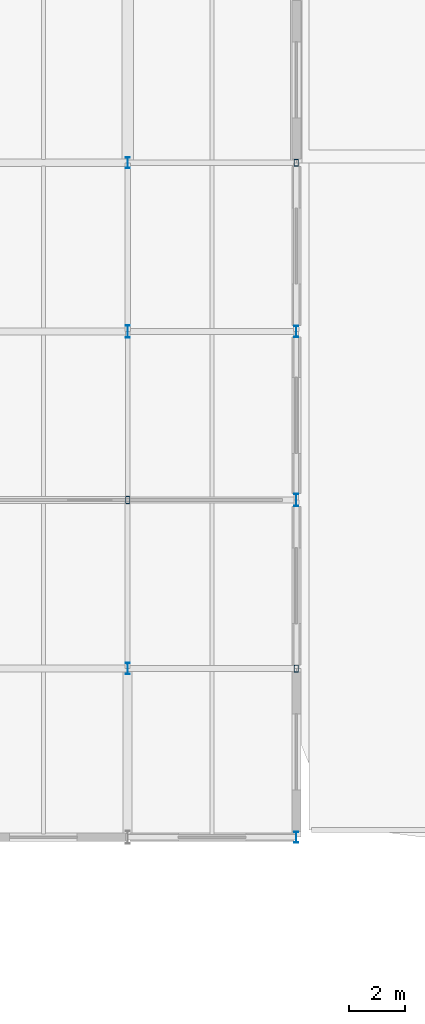
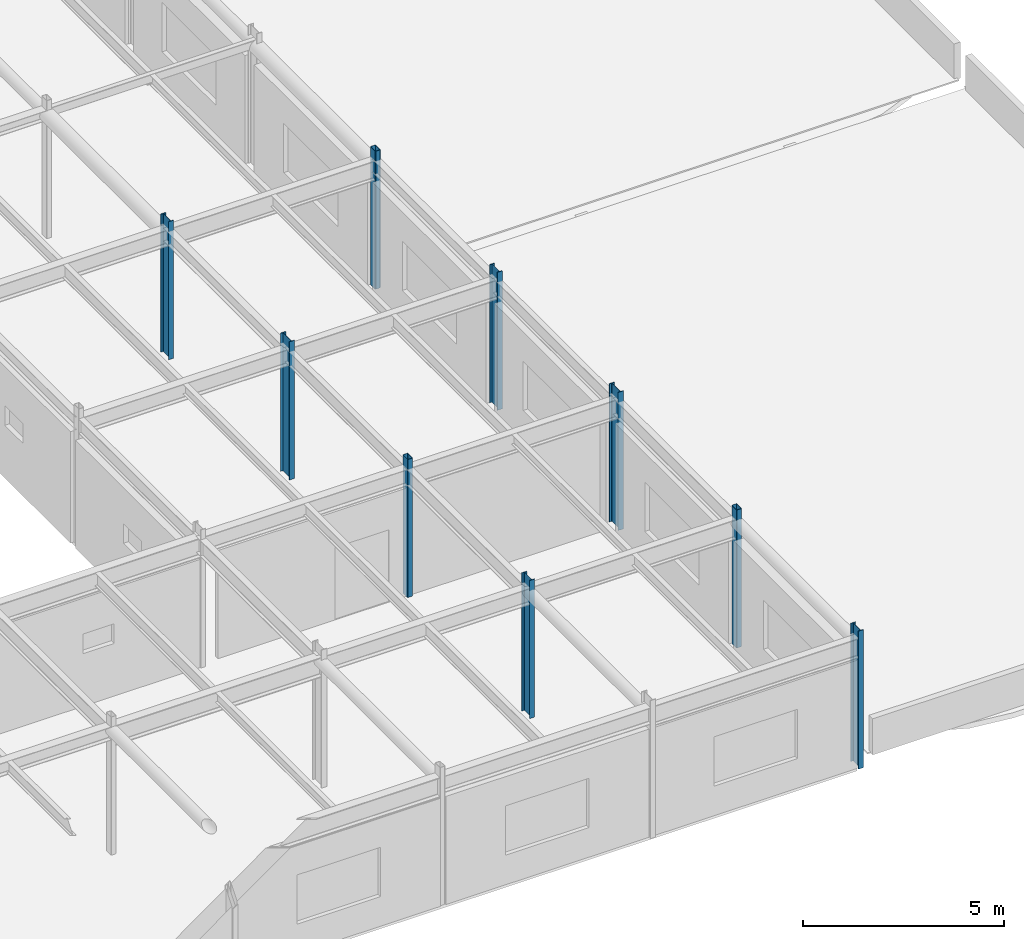
# One storey, part 24 of 116: 9 columns.
"""IFC4 building model written with IfcOpenShell, lengths in metres."""

from ifc_helpers import new_model, si_unit, direction, frame, origin, origin_2d, place, context, subcontext, project, spatial, hollow_rectangle, i_section, extrude, material, material_profile, profile_set, type_object, element, save


model = new_model("IFC4")

# Units and contexts
model_context = context("Model", 3, precision=1e-05, world=origin(), true_north=direction((0.0, 1.0)))
body_context = subcontext(model_context, "Body", "Model", "MODEL_VIEW")
ifc_project = project(units=[si_unit("LENGTHUNIT", "METRE"), si_unit("AREAUNIT", "SQUARE_METRE"), si_unit("VOLUMEUNIT", "CUBIC_METRE"), si_unit("PLANEANGLEUNIT", "RADIAN"), si_unit("MASSUNIT", "GRAM", prefix="KILO")], contexts=[model_context])

# Site, building, storey
site_placement = place(None, origin())
site = spatial("IfcSite", under=ifc_project, at=site_placement, CompositionType="ELEMENT")
building_placement = place(site_placement, origin())
building = spatial("IfcBuilding", under=site, at=building_placement, Name="Varnakota Square Police Headquarters", CompositionType="ELEMENT")
storey_placement = place(building_placement, frame((0.0, 0.0, 9.300048828125)))
storey = spatial("IfcBuildingStorey", under=building, at=storey_placement, Name="L02", CompositionType="ELEMENT", Elevation=9.300048828125)

# Columns
ifc_material = material(Name="Steel IS 2062 Grade 350", Category="steel")
ifc_material_profile_1 = material_profile(ifc_material, i_section(OverallWidth=0.139892578125, OverallDepth=0.39990234375, WebThickness=0.0087890625, FlangeThickness=0.01611328125, FilletRadius=0.013916015625, at=origin_2d()), Name="ISMB 400")
ifc_profile_set_1 = profile_set([ifc_material_profile_1], Name="Steel IS 2062 Grade 350")
column_type_1 = type_object("IfcColumnType", Name="COL-ISMB400", PredefinedType="COLUMN", material=ifc_profile_set_1)
for number, where, z_axis, x_axis, name in (
    (1, (138.0, 75.0, 0.0), (0.0, 0.0, 1.0), (1.0, 0.0, 0.0), "Column X1380-Y0750 L02"),
    (2, (138.0, 93.0, 0.0), (0.0, 0.0, 1.0), (1.0, 0.0, 0.0), "Column X1380-Y0930 L02"),
    (3, (144.0, 69.0, 0.0), (0.0, 0.0, 1.0), (1.0, 0.0, 0.0), "Column X1440-Y0690 L02"),
    (4, (144.0, 87.0, 0.0), (0.0, 0.0, 1.0), (1.0, 0.0, 0.0), "Column X1440-Y0870 L02"),
):
    element("IfcColumn", number, at=place(storey_placement, frame(where, z_axis=z_axis, x_axis=x_axis)), inside=storey, type_object=column_type_1, Name=name, PredefinedType="COLUMN", context=body_context, shape_type="SweptSolid", body=[
        extrude(i_section(OverallWidth=0.139892578125, OverallDepth=0.39990234375, WebThickness=0.0087890625, FlangeThickness=0.01611328125, FilletRadius=0.013916015625, at=origin_2d()), origin(), (0.0, 0.0, 1.0), 4.199951171875),
    ])
ifc_material_profile_2 = material_profile(ifc_material, i_section(OverallWidth=0.14990234375, OverallDepth=0.449951171875, WebThickness=0.009521484375, FlangeThickness=0.017333984375, FilletRadius=0.014892578125, at=origin_2d()), Name="ISMB 450")
ifc_profile_set_2 = profile_set([ifc_material_profile_2], Name="Steel IS 2062 Grade 350")
column_type_2 = type_object("IfcColumnType", Name="COL-ISMB450", PredefinedType="COLUMN", material=ifc_profile_set_2)
for number, where, z_axis, x_axis, name in (
    (5, (138.0, 87.0, 0.0), (0.0, 0.0, 1.0), (1.0, 0.0, 0.0), "Column X1380-Y0870 L02"),
    (6, (144.0, 81.0, 0.0), (0.0, 0.0, 1.0), (1.0, 0.0, 0.0), "Column X1440-Y0810 L02"),
):
    element("IfcColumn", number, at=place(storey_placement, frame(where, z_axis=z_axis, x_axis=x_axis)), inside=storey, type_object=column_type_2, Name=name, PredefinedType="COLUMN", context=body_context, shape_type="SweptSolid", body=[
        extrude(i_section(OverallWidth=0.14990234375, OverallDepth=0.449951171875, WebThickness=0.009521484375, FlangeThickness=0.017333984375, FilletRadius=0.014892578125, at=origin_2d()), origin(), (0.0, 0.0, 1.0), 4.199951171875),
    ])
ifc_material_profile_3 = material_profile(ifc_material, hollow_rectangle(XDim=0.14990234375, YDim=0.25, WallThickness=0.010009765625, InnerFilletRadius=0.010009765625, OuterFilletRadius=0.02001953125, at=origin_2d()), Name="RHS 250x150x10")
ifc_profile_set_3 = profile_set([ifc_material_profile_3], Name="Steel IS 2062 Grade 350")
column_type_3 = type_object("IfcColumnType", Name="COL-RHS250", PredefinedType="COLUMN", material=ifc_profile_set_3)
for number, where, z_axis, x_axis, name in (
    (7, (138.0, 81.0, 0.0), (0.0, 0.0, 1.0), (1.0, 0.0, 0.0), "Column X1380-Y0810 L02"),
    (8, (144.0, 75.0, 0.0), (0.0, 0.0, 1.0), (1.0, 0.0, 0.0), "Column X1440-Y0750 L02"),
    (9, (144.0, 93.0, 0.0), (0.0, 0.0, 1.0), (1.0, 0.0, 0.0), "Column X1440-Y0930 L02"),
):
    element("IfcColumn", number, at=place(storey_placement, frame(where, z_axis=z_axis, x_axis=x_axis)), inside=storey, type_object=column_type_3, Name=name, PredefinedType="COLUMN", context=body_context, shape_type="SweptSolid", body=[
        extrude(hollow_rectangle(XDim=0.14990234375, YDim=0.25, WallThickness=0.010009765625, InnerFilletRadius=0.010009765625, OuterFilletRadius=0.02001953125, at=origin_2d()), origin(), (0.0, 0.0, 1.0), 4.199951171875),
    ])

save(model, "model.ifc")
